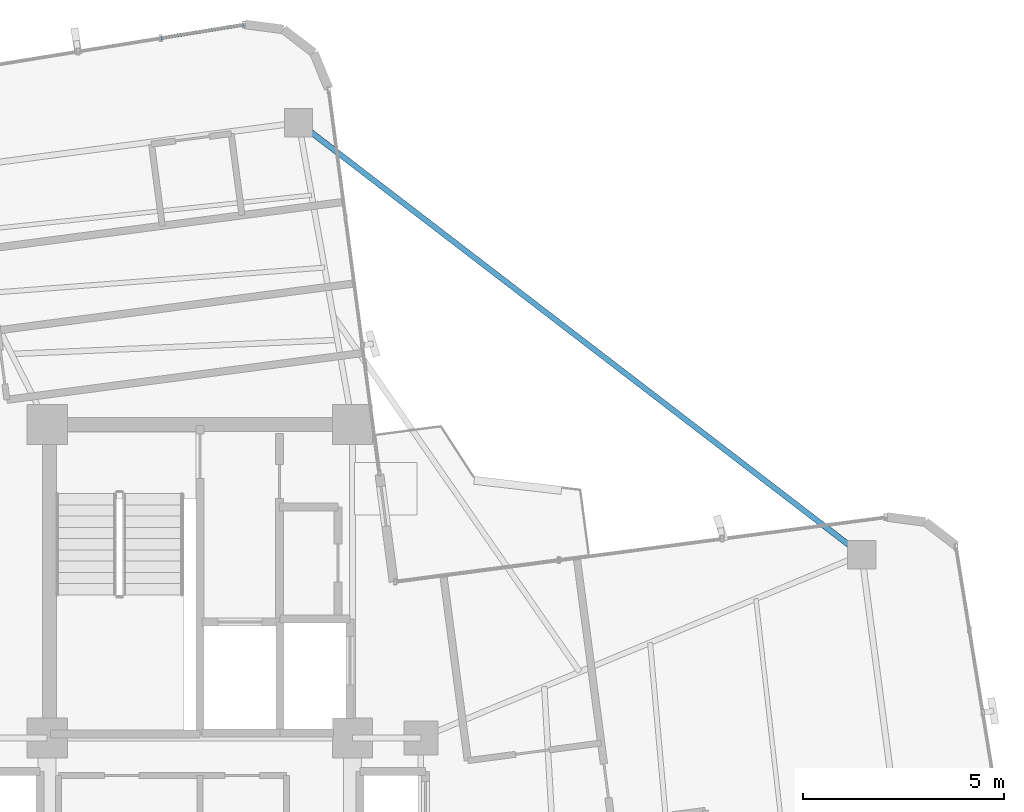
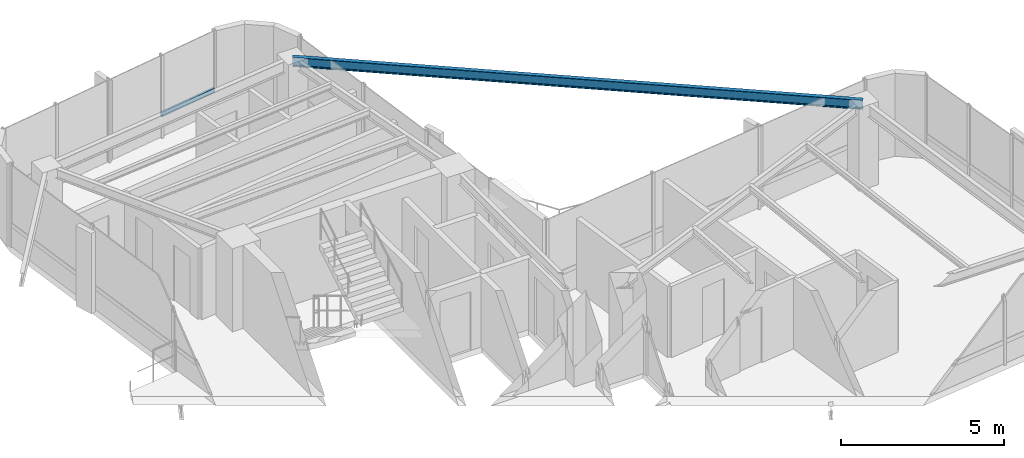
# One storey, part 15 of 22: 1 beam, 1 member, 1 element without a shape of its own.
"""IFC4 building model written with IfcOpenShell, lengths in metres."""

from ifc_helpers import new_model, si_unit, direction, frame, origin, origin_2d, place, context, subcontext, project, spatial, hollow_rectangle, i_section, extrude, source, transform, mapped, material, material_profile, profile_set, type_object, element, aggregate, save


model = new_model("IFC4")

# Units and contexts
model_context = context("Model", 3, precision=1e-05, world=origin(), true_north=direction((0.0, 1.0)))
body_context = subcontext(model_context, "Body", "Model", "MODEL_VIEW")
ifc_project = project(units=[si_unit("LENGTHUNIT", "METRE"), si_unit("AREAUNIT", "SQUARE_METRE"), si_unit("VOLUMEUNIT", "CUBIC_METRE"), si_unit("PLANEANGLEUNIT", "RADIAN"), si_unit("MASSUNIT", "GRAM", prefix="KILO")], contexts=[model_context])

# Site, building, storey
site_placement = place(None, origin())
site = spatial("IfcSite", under=ifc_project, at=site_placement, CompositionType="ELEMENT")
building_placement = place(site_placement, origin())
building = spatial("IfcBuilding", under=site, at=building_placement, Name="Sahyath Konkavel Grand Hotel", CompositionType="ELEMENT")
storey_placement = place(building_placement, frame((0.0, 0.0, 257.89990234375)))
storey = spatial("IfcBuildingStorey", under=building, at=storey_placement, Name="L72", CompositionType="ELEMENT", Elevation=257.89990234375)

# Beam
ifc_material_1 = material(Name="Steel E350", Category="steel")
ifc_material_profile_1 = material_profile(ifc_material_1, i_section(OverallWidth=0.139892578125, OverallDepth=0.35009765625, WebThickness=0.008056640625, FlangeThickness=0.01416015625, FilletRadius=0.013916015625, at=origin_2d()), Name="ISMB 350")
ifc_profile_set_1 = profile_set([ifc_material_profile_1], Name="Steel E350")
beam_type = type_object("IfcBeamType", Name="BM-ISMB350", PredefinedType="BEAM", material=ifc_profile_set_1)
shared_shape_1 = source(origin(), body_context, "Body", "SweptSolid", [
    extrude(i_section(OverallWidth=0.139892578125, OverallDepth=0.35009765625, WebThickness=0.008056640625, FlangeThickness=0.01416015625, FilletRadius=0.013916015625, at=origin_2d()), origin(), (0.0, 0.0, 1.0), 17.663330078125),
])
beam_placement = place(storey_placement, frame((16.472412109375, 6.959716796875, 2.93505859375), z_axis=(-0.793358692504, 0.608754453805, 0.0), x_axis=(-0.608754453805, -0.793358692504, 0.0)))
element("IfcBeam", 1, at=beam_placement, inside=storey, type_object=beam_type, Name="L72 Re-Entrant Tie Beam NE", PredefinedType="BEAM", context=body_context, shape_type="MappedRepresentation", body=[
    mapped(shared_shape_1, transform((0.0, 0.0, 0.0), scale=1.0)),
])

# Curtain wall, member
ifc_material_2 = material(Name="Anodised Bronze Aluminium & Low-E Glazing", Category="aluminium")
curtain_wall_type = type_object("IfcCurtainWallType", Name="CW-ZONE4", PredefinedType="NOTDEFINED", material=ifc_material_2)
curtain_wall_placement = place(storey_placement, origin())
curtain_wall = element("IfcCurtainWall", 2, at=curtain_wall_placement, inside=storey, type_object=curtain_wall_type, Name="L72 Unitised Curtain Wall F12", PredefinedType="NOTDEFINED")
ifc_material_3 = material(Name="Anodised Bronze Aluminium", Category="aluminium")
ifc_material_profile_2 = material_profile(ifc_material_3, hollow_rectangle(XDim=0.080078125, YDim=0.159912109375, WallThickness=0.006103515625, at=origin_2d()), Name="RHS 160x80x6")
ifc_profile_set_2 = profile_set([ifc_material_profile_2], Name="Anodised Bronze Aluminium")
member_type = type_object("IfcMemberType", Name="CW-TRN-160", PredefinedType="USERDEFINED", material=ifc_profile_set_2)
shared_shape_2 = source(origin(), body_context, "Body", "SweptSolid", [
    extrude(hollow_rectangle(XDim=0.080078125, YDim=0.159912109375, WallThickness=0.006103515625, at=origin_2d()), origin(), (0.0, 0.0, 1.0), 2.08740234375),
])
member_placement = place(storey_placement, frame((1.0888671875, 20.1533203125, 0.85009765625), z_axis=(-0.98719124923, -0.159541334591, 0.0), x_axis=(0.159541334591, -0.98719124923, 0.0)))
member = element("IfcMember", 3, at=member_placement, type_object=member_type, Name="L72 Curtain Wall Transom F12-0-spandrel", ObjectType="TRANSOM", PredefinedType="USERDEFINED", context=body_context, shape_type="MappedRepresentation", body=[
    mapped(shared_shape_2, transform((0.0, 0.0, 0.0), scale=1.0)),
])
aggregate(curtain_wall, [member])

save(model, "model.ifc")
